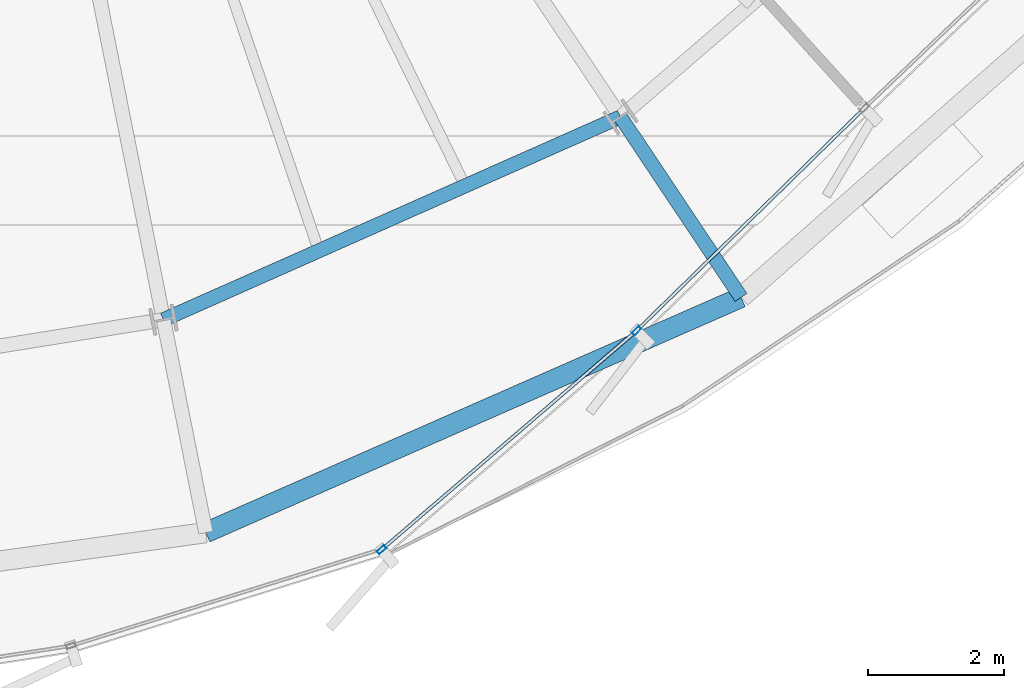
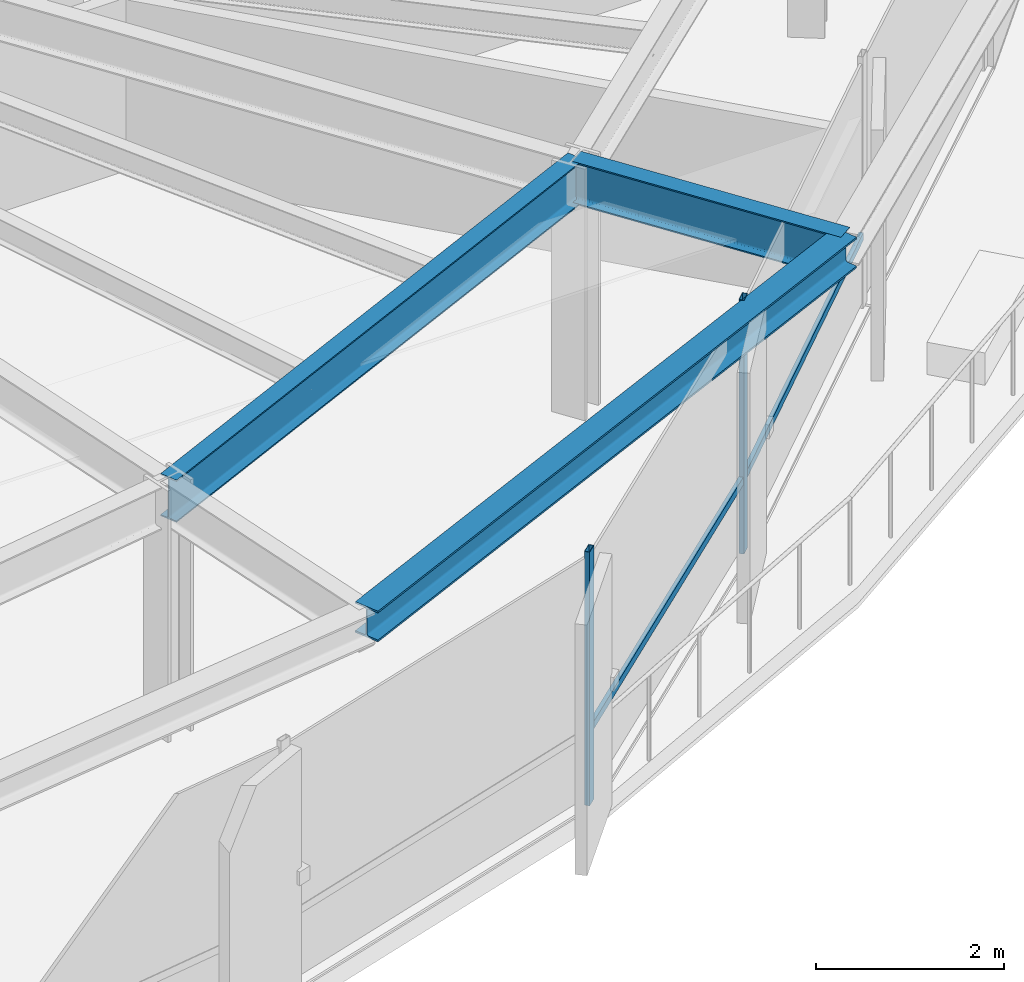
# One storey, part 12 of 34: 4 members, 3 beams, 1 element without a shape of its own.
"""IFC4 building model written with IfcOpenShell, lengths in metres."""

from ifc_helpers import new_model, si_unit, direction, frame, origin, origin_2d, place, context, subcontext, project, spatial, hollow_rectangle, i_section, extrude, source, transform, mapped, material, layer, layer_set, material_profile, profile_set, type_object, element, aggregate, save


model = new_model("IFC4")

# Units and contexts
model_context = context("Model", 3, precision=1e-05, world=origin(), true_north=direction((0.0, 1.0)))
body_context = subcontext(model_context, "Body", "Model", "MODEL_VIEW")
ifc_project = project(units=[si_unit("LENGTHUNIT", "METRE"), si_unit("AREAUNIT", "SQUARE_METRE"), si_unit("VOLUMEUNIT", "CUBIC_METRE"), si_unit("PLANEANGLEUNIT", "RADIAN"), si_unit("MASSUNIT", "GRAM", prefix="KILO"), si_unit("THERMODYNAMICTEMPERATUREUNIT", "KELVIN")], contexts=[model_context])

# Site, building, storey
site_placement = place(None, origin())
site = spatial("IfcSite", under=ifc_project, at=site_placement, CompositionType="ELEMENT")
building_placement = place(site_placement, origin())
building = spatial("IfcBuilding", under=site, at=building_placement, Name="Kethvar Cultural Tower", CompositionType="ELEMENT")
storey_placement = place(building_placement, frame((0.0, 0.0, 153.64990234375)))
storey = spatial("IfcBuildingStorey", under=building, at=storey_placement, Name="L39", CompositionType="ELEMENT", Elevation=153.64990234375)

# Beams
ifc_material_1 = material(Name="Steel S355J2", Category="steel")
ifc_material_profile_1 = material_profile(ifc_material_1, i_section(OverallWidth=0.2099609375, OverallDepth=0.550048828125, WebThickness=0.010986328125, FlangeThickness=0.01708984375, FilletRadius=0.02392578125, at=origin_2d()), Name="Steel S355J2 — IPE550")
ifc_profile_set_1 = profile_set([ifc_material_profile_1], Name="Steel S355J2 — IPE550")
beam_type_1 = type_object("IfcBeamType", Name="BM-IPE550", PredefinedType="BEAM", material=ifc_profile_set_1)
shared_shape_1 = source(origin(), body_context, "Body", "SweptSolid", [
    extrude(i_section(OverallWidth=0.2099609375, OverallDepth=0.550048828125, WebThickness=0.010986328125, FlangeThickness=0.01708984375, FilletRadius=0.02392578125, at=origin_2d()), origin(), (0.0, 0.0, 1.0), 3.199951171875),
])
beam_1_placement = place(storey_placement, frame((57.241943359375, 12.17236328125, 3.023193359375), z_axis=(0.555580212716, -0.831462943996, 0.0), x_axis=(0.831462943996, 0.555580212716, 0.0)))
element("IfcBeam", 1, at=beam_1_placement, inside=storey, type_object=beam_type_1, Name="L39 Perimeter Cantilever Beam RC-14", PredefinedType="BEAM", context=body_context, shape_type="MappedRepresentation", body=[
    mapped(shared_shape_1, transform((0.0, 0.0, 0.0), scale=1.0)),
])
shared_shape_2 = source(origin(), body_context, "Body", "SweptSolid", [
    extrude(i_section(OverallWidth=0.2099609375, OverallDepth=0.550048828125, WebThickness=0.010986328125, FlangeThickness=0.01708984375, FilletRadius=0.02392578125, at=origin_2d()), origin(), (0.0, 0.0, 1.0), 7.3720703125),
])
beam_2_placement = place(storey_placement, frame((50.50341796875, 9.182373046875, 3.023193359375), z_axis=(0.914058560918, 0.405582232367, 0.0), x_axis=(-0.405582232367, 0.914058560918, 0.0)))
element("IfcBeam", 2, at=beam_2_placement, inside=storey, type_object=beam_type_1, Name="L39 Column Ring Tie Beam CR-13", PredefinedType="BEAM", context=body_context, shape_type="MappedRepresentation", body=[
    mapped(shared_shape_2, transform((0.0, 0.0, 0.0), scale=1.0)),
])
ifc_material_profile_2 = material_profile(ifc_material_1, i_section(OverallWidth=0.300048828125, OverallDepth=0.39990234375, WebThickness=0.013427734375, FlangeThickness=0.02392578125, FilletRadius=0.027099609375, at=origin_2d()), Name="Steel S355J2 — HEB400")
ifc_profile_set_2 = profile_set([ifc_material_profile_2], Name="Steel S355J2 — HEB400")
beam_type_2 = type_object("IfcBeamType", Name="BM-SP400", PredefinedType="SPANDREL", material=ifc_profile_set_2)
shared_shape_3 = source(origin(), body_context, "Body", "SweptSolid", [
    extrude(i_section(OverallWidth=0.300048828125, OverallDepth=0.39990234375, WebThickness=0.013427734375, FlangeThickness=0.02392578125, FilletRadius=0.027099609375, at=origin_2d()), origin(), (0.0, 0.0, 1.0), 8.620361328125),
])
beam_3_placement = place(storey_placement, frame((51.127685546875, 6.043701171875, 3.09814453125), z_axis=(0.915507442902, 0.402301034041, 0.0), x_axis=(-0.402301034041, 0.915507442902, 0.0)))
element("IfcBeam", 3, at=beam_3_placement, inside=storey, type_object=beam_type_2, Name="L39 Perimeter Spandrel Beam SP-13", PredefinedType="SPANDREL", context=body_context, shape_type="MappedRepresentation", body=[
    mapped(shared_shape_3, transform((0.0, 0.0, 0.0), scale=1.0)),
])

# Curtain wall, members
ifc_material_2 = material(Name="Aluminium 6063-T6", Category="aluminium")
ifc_layer = layer(ifc_material_2, 0.179931640625, Name="Aluminium 6063-T6", Category="aluminium")
ifc_layer_set = layer_set([ifc_layer], Name="Aluminium 6063-T6 (180 mm)")
curtain_wall_type = type_object("IfcCurtainWallType", Name="CW-SYS-04-Z34", PredefinedType="NOTDEFINED", material=ifc_layer_set)
curtain_wall_placement = place(storey_placement, origin())
curtain_wall = element("IfcCurtainWall", 4, at=curtain_wall_placement, inside=storey, type_object=curtain_wall_type, Name="L39 Curtain Wall Run 05", PredefinedType="NOTDEFINED")
ifc_material_profile_3 = material_profile(ifc_material_2, hollow_rectangle(XDim=0.06005859375, YDim=0.139892578125, WallThickness=0.0048828125, at=origin_2d()), Name="Aluminium 6063-T6 — RHS140x60x5")
ifc_profile_set_3 = profile_set([ifc_material_profile_3], Name="Aluminium 6063-T6 — RHS140x60x5")
member_type_1 = type_object("IfcMemberType", Name="CW-SYS-04-Z34-MUL", PredefinedType="MULLION", material=ifc_profile_set_3)
shared_shape_4 = source(origin(), body_context, "Body", "SweptSolid", [
    extrude(hollow_rectangle(XDim=0.06005859375, YDim=0.139892578125, WallThickness=0.0048828125, at=origin_2d()), origin(), (0.0, 0.0, 1.0), 3.300048828125),
])
member_1_placement = place(storey_placement, frame((53.7197265625, 5.7919921875, 0.0), z_axis=(0.0, 0.0, 1.0), x_axis=(-0.651489524479, 0.758657629959, 0.0)))
member_1 = element("IfcMember", 5, at=member_1_placement, type_object=member_type_1, Name="CW-L39-R05 Mullion 3", PredefinedType="MULLION", context=body_context, shape_type="MappedRepresentation", body=[
    mapped(shared_shape_4, transform((0.0, 0.0, 0.0), scale=1.0)),
])
member_2_placement = place(storey_placement, frame((57.479736328125, 9.0205078125, 0.0), z_axis=(0.0, 0.0, 1.0), x_axis=(-0.698839863055, 0.715278159743, 0.0)))
member_2 = element("IfcMember", 6, at=member_2_placement, type_object=member_type_1, Name="CW-L39-R05 Mullion 4", PredefinedType="MULLION", context=body_context, shape_type="MappedRepresentation", body=[
    mapped(shared_shape_4, transform((0.0, 0.0, 0.0), scale=1.0)),
])
ifc_material_profile_4 = material_profile(ifc_material_2, hollow_rectangle(XDim=0.050048828125, YDim=0.10009765625, WallThickness=0.00390625, at=origin_2d()), Name="Aluminium 6063-T6 — RHS100x50x4")
ifc_profile_set_4 = profile_set([ifc_material_profile_4], Name="Aluminium 6063-T6 — RHS100x50x4")
member_type_2 = type_object("IfcMemberType", Name="CW-SYS-04-Z34-TRN", PredefinedType="USERDEFINED", material=ifc_profile_set_4)
shared_shape_5 = source(origin(), body_context, "Body", "SweptSolid", [
    extrude(hollow_rectangle(XDim=0.050048828125, YDim=0.10009765625, WallThickness=0.00390625, at=origin_2d()), origin(), (0.0, 0.0, 1.0), 4.876708984375),
])
member_3_placement = place(storey_placement, frame((53.75244140625, 5.820068359375, 0.9501953125), z_axis=(0.758666126864, 0.651479629727, 0.0), x_axis=(-0.651479629727, 0.758666126864, 0.0)))
member_3 = element("IfcMember", 7, at=member_3_placement, type_object=member_type_2, Name="CW-L39-R05 Transom 3", ObjectType="TRANSOM", PredefinedType="USERDEFINED", context=body_context, shape_type="MappedRepresentation", body=[
    mapped(shared_shape_5, transform((0.0, 0.0, 0.0), scale=1.0)),
])
shared_shape_6 = source(origin(), body_context, "Body", "SweptSolid", [
    extrude(hollow_rectangle(XDim=0.050048828125, YDim=0.10009765625, WallThickness=0.00390625, at=origin_2d()), origin(), (0.0, 0.0, 1.0), 4.6083984375),
])
member_4_placement = place(storey_placement, frame((57.510498046875, 9.050537109375, 0.9501953125), z_axis=(0.715296730934, 0.698820854522, 0.0), x_axis=(-0.698820854522, 0.715296730934, 0.0)))
member_4 = element("IfcMember", 8, at=member_4_placement, type_object=member_type_2, Name="CW-L39-R05 Transom 4", ObjectType="TRANSOM", PredefinedType="USERDEFINED", context=body_context, shape_type="MappedRepresentation", body=[
    mapped(shared_shape_6, transform((0.0, 0.0, 0.0), scale=1.0)),
])
aggregate(curtain_wall, [member_1, member_2, member_3, member_4])

save(model, "model.ifc")
